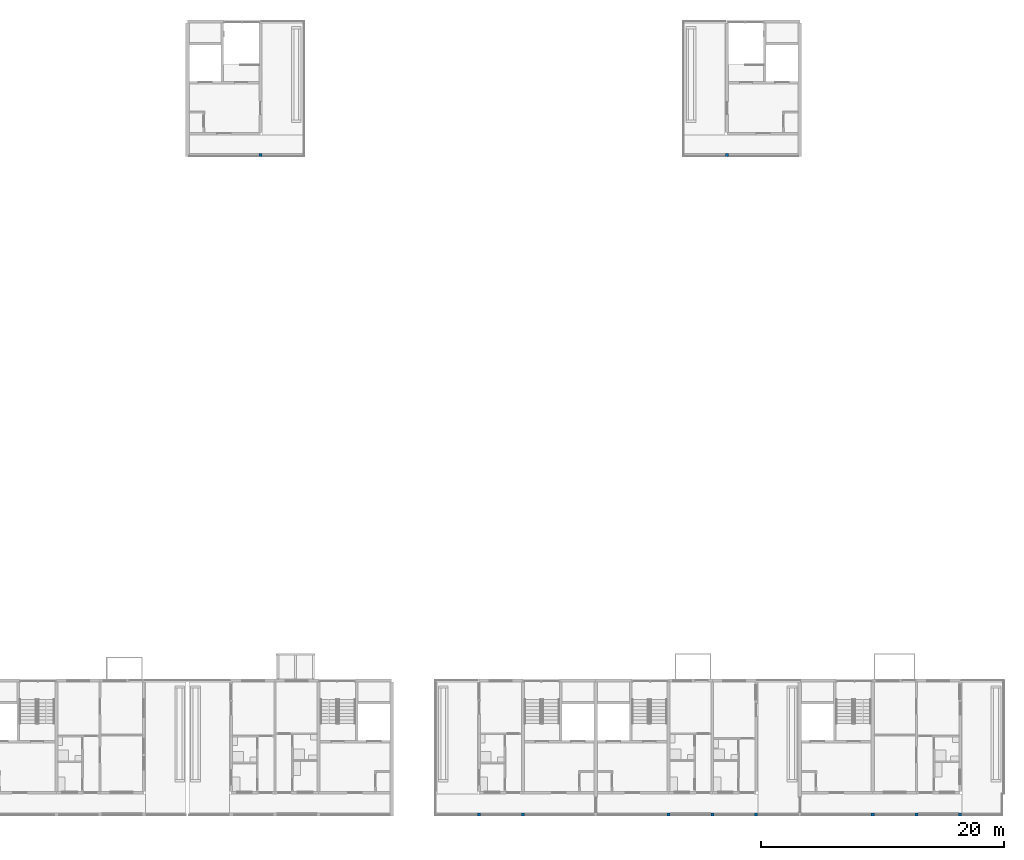
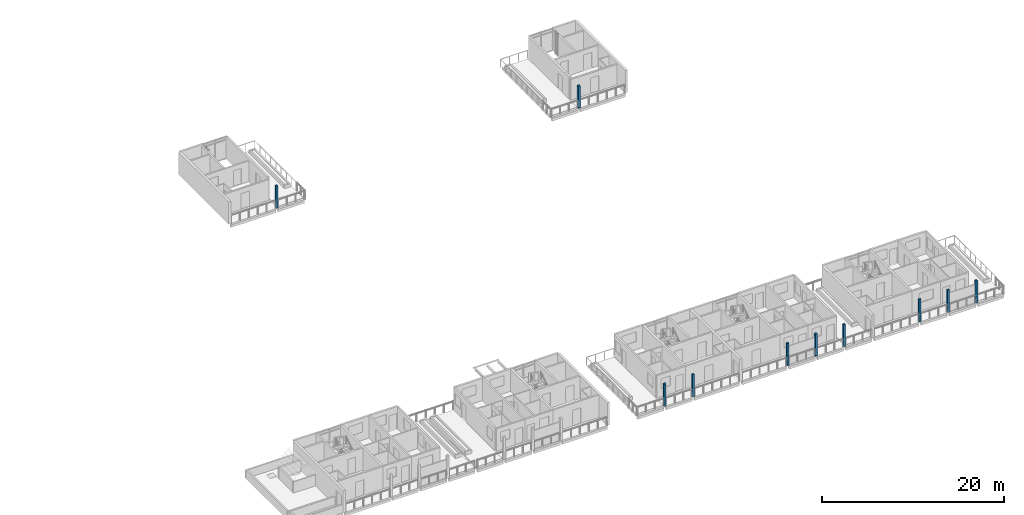
# One storey, part 3 of 55: 10 columns.
"""IFC4 building model written with IfcOpenShell, lengths in metres."""

from ifc_helpers import new_model, si_unit, direction, frame, origin, origin_2d, place, context, subcontext, project, spatial, rectangle, extrude, material, material_profile, profile_set, type_object, element, save


model = new_model("IFC4")

# Units and contexts
model_context = context("Model", 3, precision=1e-05, world=origin(), true_north=direction((0.0, 1.0)))
body_context = subcontext(model_context, "Body", "Model", "MODEL_VIEW")
ifc_project = project(units=[si_unit("LENGTHUNIT", "METRE"), si_unit("AREAUNIT", "SQUARE_METRE"), si_unit("VOLUMEUNIT", "CUBIC_METRE"), si_unit("PLANEANGLEUNIT", "RADIAN"), si_unit("MASSUNIT", "GRAM", prefix="KILO")], contexts=[model_context])

# Site, building, storey
site_placement = place(None, origin())
site = spatial("IfcSite", under=ifc_project, at=site_placement, CompositionType="ELEMENT")
building_placement = place(site_placement, origin())
building = spatial("IfcBuilding", under=site, at=building_placement, Name="Ridgestep Commons", CompositionType="ELEMENT")
storey_placement = place(building_placement, frame((0.0, 0.0, 36.0)))
storey = spatial("IfcBuildingStorey", under=building, at=storey_placement, Name="L12", CompositionType="ELEMENT", Elevation=36.0)

# Columns
ifc_material = material(Name="Precast concrete C40/50", Category="concrete")
ifc_material_profile = material_profile(ifc_material, rectangle(XDim=0.25, YDim=0.25, at=origin_2d()), Name="PC 250x250")
ifc_profile_set = profile_set([ifc_material_profile], Name="Precast concrete C40/50")
column_type = type_object("IfcColumnType", Name="Loggia column 250 x 250", PredefinedType="COLUMN", material=ifc_profile_set)
for number, where, z_axis, x_axis, name in (
    (1, (186.39990234375, 66.125, 0.0), (0.0, 0.0, 1.0), (1.0, 0.0, 0.0), "Loggia column C L12"),
    (2, (224.800048828125, 66.125, 0.0), (0.0, 0.0, 1.0), (1.0, 0.0, 0.0), "Loggia column C L12"),
    (3, (204.39990234375, 11.875, 0.0), (0.0, 0.0, 1.0), (1.0, 0.0, 0.0), "Loggia column D L12"),
    (4, (208.0, 11.875, 0.0), (0.0, 0.0, 1.0), (1.0, 0.0, 0.0), "Loggia column D L12"),
    (5, (220.0, 11.875, 0.0), (0.0, 0.0, 1.0), (1.0, 0.0, 0.0), "Loggia column D L12"),
    (6, (223.60009765625, 11.875, 0.0), (0.0, 0.0, 1.0), (1.0, 0.0, 0.0), "Loggia column D L12"),
    (7, (227.199951171875, 11.875, 0.0), (0.0, 0.0, 1.0), (1.0, 0.0, 0.0), "Loggia column D L12"),
    (8, (236.800048828125, 11.875, 0.0), (0.0, 0.0, 1.0), (1.0, 0.0, 0.0), "Loggia column D L12"),
    (9, (240.39990234375, 11.875, 0.0), (0.0, 0.0, 1.0), (1.0, 0.0, 0.0), "Loggia column D L12"),
    (10, (244.0, 11.875, 0.0), (0.0, 0.0, 1.0), (1.0, 0.0, 0.0), "Loggia column D L12"),
):
    element("IfcColumn", number, at=place(storey_placement, frame(where, z_axis=z_axis, x_axis=x_axis)), inside=storey, type_object=column_type, Name=name, PredefinedType="COLUMN", context=body_context, shape_type="SweptSolid", body=[
        extrude(rectangle(XDim=0.25, YDim=0.25, at=origin_2d()), origin(), (0.0, 0.0, 1.0), 3.0),
    ])

save(model, "model.ifc")
